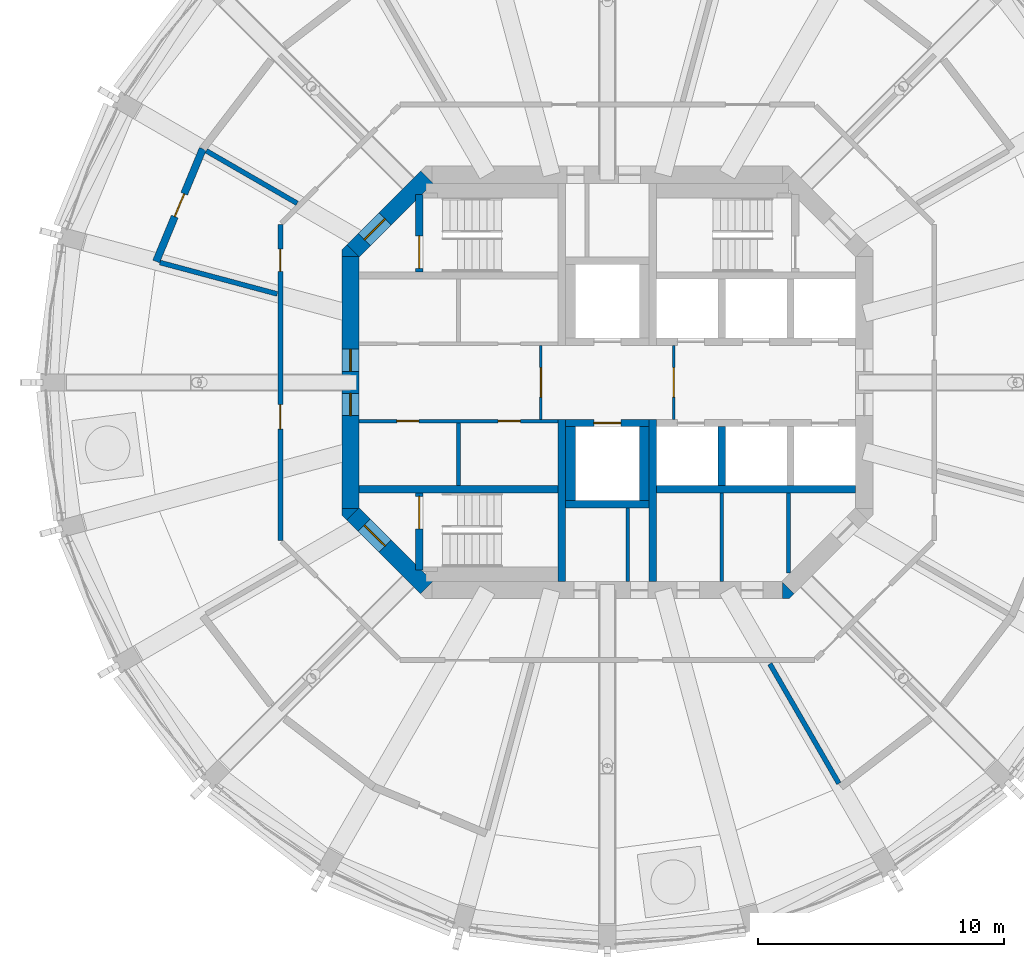
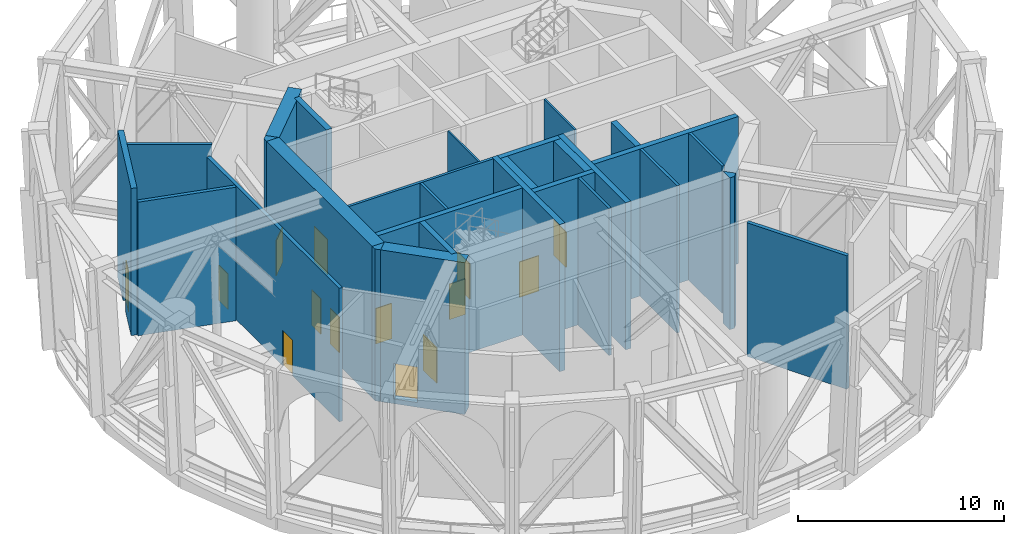
# One storey, part 5 of 12: 29 walls, 14 doors, 14 openings.
"""IFC4 building model written with IfcOpenShell, lengths in metres."""

from ifc_helpers import new_model, si_unit, direction, frame, frame_2d, origin, place, context, subcontext, project, spatial, polyline, rectangle, outline, extrude, material, layer, layer_set, type_object, element, fill, save


model = new_model("IFC4")

# Units and contexts
model_context = context("Model", 3, precision=1e-05, world=origin(), true_north=direction((0.0, 1.0)))
body_context = subcontext(model_context, "Body", "Model", "MODEL_VIEW")
ifc_project = project(units=[si_unit("LENGTHUNIT", "METRE"), si_unit("AREAUNIT", "SQUARE_METRE"), si_unit("VOLUMEUNIT", "CUBIC_METRE"), si_unit("PLANEANGLEUNIT", "RADIAN"), si_unit("MASSUNIT", "GRAM", prefix="KILO")], contexts=[model_context])

# Site, building, storey
site_placement = place(None, origin())
site = spatial("IfcSite", under=ifc_project, at=site_placement, CompositionType="ELEMENT")
building_placement = place(site_placement, origin())
building = spatial("IfcBuilding", under=site, at=building_placement, Name="Torre Triforio", CompositionType="ELEMENT")
storey_placement = place(building_placement, frame((0.0, 0.0, 183.800048828125)))
storey = spatial("IfcBuildingStorey", under=building, at=storey_placement, Name="L42", CompositionType="ELEMENT", Elevation=183.800048828125)

# Walls
ifc_material_1 = material(Name="Concrete C50", Category="concrete")
ifc_layer_1 = layer(ifc_material_1, 0.300048828125)
ifc_layer_set_1 = layer_set([ifc_layer_1], Name="Concrete C50")
wall_type_1 = type_object("IfcWallType", Name="Core wall 300 mm C50 EI 120", PredefinedType="SHEAR", material=ifc_layer_set_1)
for number, where, z_axis, x_axis, name in (
    (1, (-1.85009765625, -8.10009765625, 0.0), (0.0, 0.0, 1.0), (0.0, 1.0, 0.0), "Core wall"),
    (2, (1.85009765625, -8.10009765625, 0.0), (0.0, 0.0, 1.0), (0.0, 1.0, 0.0), "Core wall"),
):
    element("IfcWall", number, at=place(storey_placement, frame(where, z_axis=z_axis, x_axis=x_axis)), inside=storey, type_object=wall_type_1, Name=name, PredefinedType="SHEAR", context=body_context, shape_type="SweptSolid", body=[
        extrude(rectangle(XDim=6.60009765625, YDim=0.300048828125, at=frame_2d((3.300048828125, 0.0))), origin(), (0.0, 0.0, 1.0), 8.719970703125),
    ])

# Wall, openings, doors
ifc_layer_2 = layer(ifc_material_1, 0.699951171875)
ifc_layer_set_2 = layer_set([ifc_layer_2], Name="Concrete C50")
wall_type_2 = type_object("IfcWallType", Name="Core wall 700 mm C50 EI 120", PredefinedType="SHEAR", material=ifc_layer_set_2)
wall_1_placement = place(storey_placement, frame((-10.449951171875, -5.1298828125, -0.280029296875), z_axis=(0.0, 0.0, 1.0), x_axis=(0.0, 1.0, 0.0)))
wall_1 = element("IfcWall", 3, at=wall_1_placement, inside=storey, type_object=wall_type_2, Name="Core wall", PredefinedType="SHEAR", context=body_context, shape_type="SweptSolid", body=[
    extrude(rectangle(XDim=10.259765625, YDim=0.699951171875, at=frame_2d((5.1298828125, 0.0))), origin(), (0.0, 0.0, 1.0), 9.0),
])
opening_1_placement = place(wall_1_placement, frame((5.580078125, 0.0, 0.280029296875)))
opening_1 = element("IfcOpeningElement", 4, at=opening_1_placement, cuts=wall_1, Name="Opening W-RINGA", PredefinedType="OPENING", context=body_context, shape_type="SweptSolid", body=[
    extrude(rectangle(XDim=0.89990234375, YDim=2.10009765625, at=frame_2d((0.449951171875, 1.050048828125))), frame((0.0, 0.35986328125, 0.0), z_axis=(0.0, -1.0, 0.0), x_axis=(1.0, 0.0, 0.0)), (0.0, 0.0, 1.0), 0.719970703125),
])
opening_2_placement = place(wall_1_placement, frame((3.780029296875, 0.0, 0.280029296875)))
opening_2 = element("IfcOpeningElement", 5, at=opening_2_placement, cuts=wall_1, Name="Opening W-RING-2", PredefinedType="OPENING", context=body_context, shape_type="SweptSolid", body=[
    extrude(rectangle(XDim=0.89990234375, YDim=2.10009765625, at=frame_2d((0.449951171875, 1.050048828125))), frame((0.0, 0.35986328125, 0.0), z_axis=(0.0, -1.0, 0.0), x_axis=(1.0, 0.0, 0.0)), (0.0, 0.0, 1.0), 0.719970703125),
])
ifc_material_2 = material(Name="Hollow metal fire door leaf")
door_type_1 = type_object("IfcDoorType", Name="Lobby door 900 x 2100 EI 60", OperationType="NOTDEFINED", PredefinedType="DOOR", material=ifc_material_2)
door_1_placement = place(opening_1_placement, origin())
door_1 = element("IfcDoor", 6, at=door_1_placement, inside=storey, type_object=door_type_1, Name="Core door W-RING", OperationType="SINGLE_SWING_RIGHT", OverallHeight=2.10009765625, OverallWidth=0.89990234375, PredefinedType="DOOR", context=body_context, shape_type="SweptSolid", body=[
    extrude(rectangle(XDim=0.89990234375, YDim=2.10009765625, at=frame_2d((0.449951171875, 1.050048828125))), frame((0.0, 0.02490234375, 0.0), z_axis=(0.0, -1.0, 0.0), x_axis=(1.0, 0.0, 0.0)), (0.0, 0.0, 1.0), 0.050048828125),
])
fill(opening_1, door_1)
door_2_placement = place(opening_2_placement, origin())
door_2 = element("IfcDoor", 7, at=door_2_placement, inside=storey, type_object=door_type_1, Name="Core door W-RING-2", OperationType="SINGLE_SWING_RIGHT", OverallHeight=2.10009765625, OverallWidth=0.89990234375, PredefinedType="DOOR", context=body_context, shape_type="SweptSolid", body=[
    extrude(rectangle(XDim=0.89990234375, YDim=2.10009765625, at=frame_2d((0.449951171875, 1.050048828125))), frame((0.0, 0.02490234375, 0.0), z_axis=(0.0, -1.0, 0.0), x_axis=(1.0, 0.0, 0.0)), (0.0, 0.0, 1.0), 0.050048828125),
])
fill(opening_2, door_2)

# Wall, opening, door
wall_2_placement = place(storey_placement, frame((-10.347412109375, 5.347412109375, -0.280029296875), z_axis=(0.0, 0.0, 1.0), x_axis=(0.707106781187, 0.707106781187, 0.0)))
wall_2 = element("IfcWall", 8, at=wall_2_placement, inside=storey, type_object=wall_type_2, Name="Core wall", PredefinedType="SHEAR", context=body_context, shape_type="SweptSolid", body=[
    extrude(rectangle(XDim=4.24267578125, YDim=0.699951171875, at=frame_2d((2.121337890625, 0.0))), origin(), (0.0, 0.0, 1.0), 9.0),
])
opening_3_placement = place(wall_2_placement, frame((0.64990234375, 0.0, 0.280029296875)))
opening_3 = element("IfcOpeningElement", 9, at=opening_3_placement, cuts=wall_2, Name="Opening ST1-EXIT", PredefinedType="OPENING", context=body_context, shape_type="SweptSolid", body=[
    extrude(rectangle(XDim=1.199951171875, YDim=2.10009765625, at=frame_2d((0.60009765625, 1.050048828125))), frame((0.0, 0.35986328125, 0.0), z_axis=(0.0, -1.0, 0.0), x_axis=(1.0, 0.0, 0.0)), (0.0, 0.0, 1.0), 0.719970703125),
])
door_type_2 = type_object("IfcDoorType", Name="Stair lobby door 1200 x 2100 EI 60", OperationType="NOTDEFINED", PredefinedType="DOOR", material=ifc_material_2)
door_3_placement = place(opening_3_placement, origin())
door_3 = element("IfcDoor", 10, at=door_3_placement, inside=storey, type_object=door_type_2, Name="Core door ST1-EXIT", OperationType="SINGLE_SWING_RIGHT", OverallHeight=2.10009765625, OverallWidth=1.199951171875, PredefinedType="DOOR", context=body_context, shape_type="SweptSolid", body=[
    extrude(rectangle(XDim=1.199951171875, YDim=2.10009765625, at=frame_2d((0.60009765625, 1.050048828125))), frame((0.0, 0.02490234375, 0.0), z_axis=(0.0, -1.0, 0.0), x_axis=(1.0, 0.0, 0.0)), (0.0, 0.0, 1.0), 0.050048828125),
])
fill(opening_3, door_3)

wall_3_placement = place(storey_placement, frame((-7.347412109375, -8.347412109375, -0.280029296875), z_axis=(0.0, 0.0, 1.0), x_axis=(-0.707106781187, 0.707106781187, 0.0)))
wall_3 = element("IfcWall", 11, at=wall_3_placement, inside=storey, type_object=wall_type_2, Name="Core wall", PredefinedType="SHEAR", context=body_context, shape_type="SweptSolid", body=[
    extrude(rectangle(XDim=4.24267578125, YDim=0.699951171875, at=frame_2d((2.121337890625, 0.0))), origin(), (0.0, 0.0, 1.0), 9.0),
])
opening_4_placement = place(wall_3_placement, frame((2.389892578125, 0.0, 0.280029296875)))
opening_4 = element("IfcOpeningElement", 12, at=opening_4_placement, cuts=wall_3, Name="Opening ST3-EXIT", PredefinedType="OPENING", context=body_context, shape_type="SweptSolid", body=[
    extrude(rectangle(XDim=1.199951171875, YDim=2.10009765625, at=frame_2d((0.60009765625, 1.050048828125))), frame((0.0, 0.35986328125, 0.0), z_axis=(0.0, -1.0, 0.0), x_axis=(1.0, 0.0, 0.0)), (0.0, 0.0, 1.0), 0.719970703125),
])
door_4_placement = place(opening_4_placement, origin())
door_4 = element("IfcDoor", 13, at=door_4_placement, inside=storey, type_object=door_type_2, Name="Core door ST3-EXIT", OperationType="SINGLE_SWING_RIGHT", OverallHeight=2.10009765625, OverallWidth=1.199951171875, PredefinedType="DOOR", context=body_context, shape_type="SweptSolid", body=[
    extrude(rectangle(XDim=1.199951171875, YDim=2.10009765625, at=frame_2d((0.60009765625, 1.050048828125))), frame((0.0, 0.02490234375, 0.0), z_axis=(0.0, -1.0, 0.0), x_axis=(1.0, 0.0, 0.0)), (0.0, 0.0, 1.0), 0.050048828125),
])
fill(opening_4, door_4)

# Walls
wall_4_placement = place(storey_placement, frame((0.0, 0.0, -0.280029296875)))
element("IfcWall", 14, at=wall_4_placement, inside=storey, type_object=wall_type_2, Name="Core wall", PredefinedType="SHEAR", context=body_context, shape_type="SweptSolid", body=[
    extrude(outline(polyline([(7.389892578125, -8.800048828125), (7.1298828125, -8.800048828125), (7.1298828125, -8.800048828125), (7.1298828125, -8.1298828125), (7.594970703125, -8.594970703125), (7.594970703125, -8.594970703125), (7.594970703125, -8.594970703125), (7.389892578125, -8.800048828125)])), origin(), (0.0, 0.0, 1.0), 9.0),
])
wall_5_placement = place(storey_placement, frame((0.0, 0.0, -0.280029296875)))
element("IfcWall", 15, at=wall_5_placement, inside=storey, type_object=wall_type_2, Name="Core wall", PredefinedType="SHEAR", context=body_context, shape_type="SweptSolid", body=[
    extrude(outline(polyline([(-10.800048828125, -5.389892578125), (-10.800048828125, -5.1298828125), (-10.800048828125, -5.1298828125), (-10.1298828125, -5.1298828125), (-10.594970703125, -5.594970703125), (-10.594970703125, -5.594970703125), (-10.594970703125, -5.594970703125), (-10.800048828125, -5.389892578125)])), origin(), (0.0, 0.0, 1.0), 9.0),
])
wall_6_placement = place(storey_placement, frame((0.0, 0.0, -0.280029296875)))
element("IfcWall", 16, at=wall_6_placement, inside=storey, type_object=wall_type_2, Name="Core wall", PredefinedType="SHEAR", context=body_context, shape_type="SweptSolid", body=[
    extrude(outline(polyline([(-10.594970703125, 5.594970703125), (-10.594970703125, 5.594970703125), (-10.594970703125, 5.594970703125), (-10.1298828125, 5.1298828125), (-10.800048828125, 5.1298828125), (-10.800048828125, 5.1298828125), (-10.800048828125, 5.389892578125), (-10.594970703125, 5.594970703125)])), origin(), (0.0, 0.0, 1.0), 9.0),
])

# Wall, opening, door
ifc_material_3 = material(Name="Aluminium louvre blades", Category="aluminium")
ifc_layer_3 = layer(ifc_material_3, 0.300048828125)
ifc_layer_set_3 = layer_set([ifc_layer_3], Name="Aluminium louvre blades")
wall_type_3 = type_object("IfcWallType", Name="Louvred enclosure wall 300", PredefinedType="STANDARD", material=ifc_layer_set_3)
wall_7_placement = place(storey_placement, frame((-16.45458984375, 9.5, 0.0), z_axis=(0.0, 0.0, 1.0), x_axis=(-0.382650301762, -0.923893254961, 0.0)))
wall_7 = element("IfcWall", 17, at=wall_7_placement, inside=storey, type_object=wall_type_3, Name="Louvred enclosure L42 bay 11", PredefinedType="STANDARD", context=body_context, shape_type="SweptSolid", body=[
    extrude(rectangle(XDim=4.9599609375, YDim=0.300048828125, at=frame_2d((2.47998046875, 0.0))), origin(), (0.0, 0.0, 1.0), 8.719970703125),
])
opening_5_placement = place(wall_7_placement, frame((1.97998046875, 0.0, 0.0)))
opening_5 = element("IfcOpeningElement", 18, at=opening_5_placement, cuts=wall_7, Name="Opening PL2-D11", PredefinedType="OPENING", context=body_context, shape_type="SweptSolid", body=[
    extrude(rectangle(XDim=1.0, YDim=2.39990234375, at=frame_2d((0.5, 1.199951171875))), frame((0.0, 0.159912109375, 0.0), z_axis=(0.0, -1.0, 0.0), x_axis=(1.0, 0.0, 0.0)), (0.0, 0.0, 1.0), 0.320068359375),
])
ifc_material_4 = material(Name="Galvanised hollow metal louvred door")
door_type_3 = type_object("IfcDoorType", Name="Deck service door 1000 x 2400", OperationType="NOTDEFINED", PredefinedType="DOOR", material=ifc_material_4)
door_5_placement = place(opening_5_placement, origin())
door_5 = element("IfcDoor", 19, at=door_5_placement, inside=storey, type_object=door_type_3, Name="Deck service door L42 bay 11", OperationType="SINGLE_SWING_LEFT", OverallHeight=2.39990234375, OverallWidth=1.0, PredefinedType="DOOR", context=body_context, shape_type="SweptSolid", body=[
    extrude(rectangle(XDim=1.0, YDim=2.39990234375, at=frame_2d((0.5, 1.199951171875))), frame((0.0, 0.02490234375, 0.0), z_axis=(0.0, -1.0, 0.0), x_axis=(1.0, 0.0, 0.0)), (0.0, 0.0, 1.0), 0.050048828125),
])
fill(opening_5, door_5)

ifc_material_5 = material(Name="Block and board partition")
ifc_layer_4 = layer(ifc_material_5, 0.10009765625)
ifc_layer_set_4 = layer_set([ifc_layer_4], Name="Block and board partition")
wall_type_4 = type_object("IfcWallType", Name="Partition 100 mm EI 120", PredefinedType="PARTITIONING", material=ifc_layer_set_4)
wall_8_placement = place(storey_placement, frame((-2.699951171875, -1.5, 0.0), z_axis=(0.0, 0.0, 1.0), x_axis=(0.0, 1.0, 0.0)))
wall_8 = element("IfcWall", 20, at=wall_8_placement, inside=storey, type_object=wall_type_4, Name="Partition", PredefinedType="PARTITIONING", context=body_context, shape_type="SweptSolid", body=[
    extrude(rectangle(XDim=3.0, YDim=0.10009765625, at=frame_2d((1.5, 0.0))), origin(), (0.0, 0.0, 1.0), 8.719970703125),
])
opening_6_placement = place(wall_8_placement, frame((0.89990234375, 0.0, 0.0)))
opening_6 = element("IfcOpeningElement", 21, at=opening_6_placement, cuts=wall_8, Name="Opening FF-W", PredefinedType="OPENING", context=body_context, shape_type="SweptSolid", body=[
    extrude(rectangle(XDim=1.199951171875, YDim=2.10009765625, at=frame_2d((0.60009765625, 1.050048828125))), frame((0.0, 0.06005859375, 0.0), z_axis=(0.0, -1.0, 0.0), x_axis=(1.0, 0.0, 0.0)), (0.0, 0.0, 1.0), 0.1201171875),
])
door_type_4 = type_object("IfcDoorType", Name="Fire-fighting lobby door 1200 x 2100 EI 60", OperationType="NOTDEFINED", PredefinedType="DOOR", material=ifc_material_2)
door_6_placement = place(opening_6_placement, origin())
door_6 = element("IfcDoor", 22, at=door_6_placement, inside=storey, type_object=door_type_4, Name="Core door FF-W", OperationType="SINGLE_SWING_RIGHT", OverallHeight=2.10009765625, OverallWidth=1.199951171875, PredefinedType="DOOR", context=body_context, shape_type="SweptSolid", body=[
    extrude(rectangle(XDim=1.199951171875, YDim=2.10009765625, at=frame_2d((0.60009765625, 1.050048828125))), frame((0.0, 0.02490234375, 0.0), z_axis=(0.0, -1.0, 0.0), x_axis=(1.0, 0.0, 0.0)), (0.0, 0.0, 1.0), 0.050048828125),
])
fill(opening_6, door_6)

wall_9_placement = place(storey_placement, frame((2.699951171875, -1.5, 0.0), z_axis=(0.0, 0.0, 1.0), x_axis=(0.0, 1.0, 0.0)))
wall_9 = element("IfcWall", 23, at=wall_9_placement, inside=storey, type_object=wall_type_4, Name="Partition", PredefinedType="PARTITIONING", context=body_context, shape_type="SweptSolid", body=[
    extrude(rectangle(XDim=3.0, YDim=0.10009765625, at=frame_2d((1.5, 0.0))), origin(), (0.0, 0.0, 1.0), 8.719970703125),
])
opening_7_placement = place(wall_9_placement, frame((0.89990234375, 0.0, 0.0)))
opening_7 = element("IfcOpeningElement", 24, at=opening_7_placement, cuts=wall_9, Name="Opening FF-E", PredefinedType="OPENING", context=body_context, shape_type="SweptSolid", body=[
    extrude(rectangle(XDim=1.199951171875, YDim=2.10009765625, at=frame_2d((0.60009765625, 1.050048828125))), frame((0.0, 0.06005859375, 0.0), z_axis=(0.0, -1.0, 0.0), x_axis=(1.0, 0.0, 0.0)), (0.0, 0.0, 1.0), 0.1201171875),
])
door_7_placement = place(opening_7_placement, origin())
door_7 = element("IfcDoor", 25, at=door_7_placement, inside=storey, type_object=door_type_4, Name="Core door FF-E", OperationType="SINGLE_SWING_RIGHT", OverallHeight=2.10009765625, OverallWidth=1.199951171875, PredefinedType="DOOR", context=body_context, shape_type="SweptSolid", body=[
    extrude(rectangle(XDim=1.199951171875, YDim=2.10009765625, at=frame_2d((0.60009765625, 1.050048828125))), frame((0.0, 0.02490234375, 0.0), z_axis=(0.0, -1.0, 0.0), x_axis=(1.0, 0.0, 0.0)), (0.0, 0.0, 1.0), 0.050048828125),
])
fill(opening_7, door_7)

# Walls
ifc_layer_5 = layer(ifc_material_5, 0.14990234375)
ifc_layer_set_5 = layer_set([ifc_layer_5], Name="Block and board partition")
wall_type_5 = type_object("IfcWallType", Name="Partition 150 mm", PredefinedType="PARTITIONING", material=ifc_layer_set_5)
wall_10_placement = place(storey_placement, frame((4.64892578125, -8.10009765625, 0.0), z_axis=(0.0, 0.0, 1.0), x_axis=(0.0, 1.0, 0.0)))
element("IfcWall", 26, at=wall_10_placement, inside=storey, type_object=wall_type_5, Name="Partition", PredefinedType="PARTITIONING", context=body_context, shape_type="SweptSolid", body=[
    extrude(rectangle(XDim=3.60009765625, YDim=0.14990234375, at=frame_2d((1.800048828125, 0.0))), origin(), (0.0, 0.0, 1.0), 8.719970703125),
])
wall_11_placement = place(storey_placement, frame((7.373046875, -7.751953125, 0.0), z_axis=(0.0, 0.0, 1.0), x_axis=(0.0, 1.0, 0.0)))
element("IfcWall", 27, at=wall_11_placement, inside=storey, type_object=wall_type_5, Name="Partition", PredefinedType="PARTITIONING", context=body_context, shape_type="SweptSolid", body=[
    extrude(rectangle(XDim=3.251953125, YDim=0.14990234375, at=frame_2d((1.6259765625, 0.0))), origin(), (0.0, 0.0, 1.0), 8.719970703125),
])
wall_12_placement = place(storey_placement, frame((-6.050048828125, -4.199951171875, 0.0), z_axis=(0.0, 0.0, 1.0), x_axis=(0.0, 1.0, 0.0)))
element("IfcWall", 28, at=wall_12_placement, inside=storey, type_object=wall_type_5, Name="Partition", PredefinedType="PARTITIONING", context=body_context, shape_type="SweptSolid", body=[
    extrude(rectangle(XDim=2.550048828125, YDim=0.14990234375, at=frame_2d((1.27490234375, 0.0))), origin(), (0.0, 0.0, 1.0), 8.719970703125),
])
ifc_layer_6 = layer(ifc_material_5, 0.14990234375)
ifc_layer_set_6 = layer_set([ifc_layer_6], Name="Block and board partition")
wall_type_6 = type_object("IfcWallType", Name="Partition 150 mm EI 120", PredefinedType="PARTITIONING", material=ifc_layer_set_6)
wall_13_placement = place(storey_placement, frame((0.824951171875, -8.10009765625, 0.0), z_axis=(0.0, 0.0, 1.0), x_axis=(0.0, 1.0, 0.0)))
element("IfcWall", 29, at=wall_13_placement, inside=storey, type_object=wall_type_6, Name="Partition", PredefinedType="PARTITIONING", context=body_context, shape_type="SweptSolid", body=[
    extrude(rectangle(XDim=3.0, YDim=0.14990234375, at=frame_2d((1.5, 0.0))), origin(), (0.0, 0.0, 1.0), 8.719970703125),
])

# Wall, openings, doors
wall_14_placement = place(storey_placement, frame((-10.10009765625, -1.574951171875, 0.0), z_axis=(0.0, 0.0, 1.0), x_axis=(1.0, 0.0, 0.0)))
wall_14 = element("IfcWall", 30, at=wall_14_placement, inside=storey, type_object=wall_type_6, Name="Partition", PredefinedType="PARTITIONING", context=body_context, shape_type="SweptSolid", body=[
    extrude(rectangle(XDim=8.10009765625, YDim=0.14990234375, at=frame_2d((4.050048828125, 0.0))), origin(), (0.0, 0.0, 1.0), 8.719970703125),
])
opening_8_placement = place(wall_14_placement, frame((1.53759765625, 0.0, 0.0)))
opening_8 = element("IfcOpeningElement", 31, at=opening_8_placement, cuts=wall_14, Name="Opening FS-01A", PredefinedType="OPENING", context=body_context, shape_type="SweptSolid", body=[
    extrude(rectangle(XDim=0.89990234375, YDim=2.10009765625, at=frame_2d((0.449951171875, 1.050048828125))), frame((0.0, 0.0849609375, 0.0), z_axis=(0.0, -1.0, 0.0), x_axis=(1.0, 0.0, 0.0)), (0.0, 0.0, 1.0), 0.169921875),
])
opening_9_placement = place(wall_14_placement, frame((5.66259765625, 0.0, 0.0)))
opening_9 = element("IfcOpeningElement", 32, at=opening_9_placement, cuts=wall_14, Name="Opening FS-02A", PredefinedType="OPENING", context=body_context, shape_type="SweptSolid", body=[
    extrude(rectangle(XDim=0.89990234375, YDim=2.10009765625, at=frame_2d((0.449951171875, 1.050048828125))), frame((0.0, 0.0849609375, 0.0), z_axis=(0.0, -1.0, 0.0), x_axis=(1.0, 0.0, 0.0)), (0.0, 0.0, 1.0), 0.169921875),
])
door_type_5 = type_object("IfcDoorType", Name="Plant room door 900 x 2100 EI 60", OperationType="NOTDEFINED", PredefinedType="DOOR", material=ifc_material_2)
door_8_placement = place(opening_8_placement, origin())
door_8 = element("IfcDoor", 33, at=door_8_placement, inside=storey, type_object=door_type_5, Name="Core door FS-01", OperationType="SINGLE_SWING_LEFT", OverallHeight=2.10009765625, OverallWidth=0.89990234375, PredefinedType="DOOR", context=body_context, shape_type="SweptSolid", body=[
    extrude(rectangle(XDim=0.89990234375, YDim=2.10009765625, at=frame_2d((0.449951171875, 1.050048828125))), frame((0.0, 0.02490234375, 0.0), z_axis=(0.0, -1.0, 0.0), x_axis=(1.0, 0.0, 0.0)), (0.0, 0.0, 1.0), 0.050048828125),
])
fill(opening_8, door_8)
door_9_placement = place(opening_9_placement, origin())
door_9 = element("IfcDoor", 34, at=door_9_placement, inside=storey, type_object=door_type_5, Name="Core door FS-02", OperationType="SINGLE_SWING_LEFT", OverallHeight=2.10009765625, OverallWidth=0.89990234375, PredefinedType="DOOR", context=body_context, shape_type="SweptSolid", body=[
    extrude(rectangle(XDim=0.89990234375, YDim=2.10009765625, at=frame_2d((0.449951171875, 1.050048828125))), frame((0.0, 0.02490234375, 0.0), z_axis=(0.0, -1.0, 0.0), x_axis=(1.0, 0.0, 0.0)), (0.0, 0.0, 1.0), 0.050048828125),
])
fill(opening_9, door_9)

ifc_material_6 = material(Name="Masonry block", Category="masonry")
ifc_layer_7 = layer(ifc_material_6, 0.199951171875)
ifc_layer_set_7 = layer_set([ifc_layer_7], Name="Masonry block")
wall_type_7 = type_object("IfcWallType", Name="Plant room wall 200 mm block EI 120", PredefinedType="PARTITIONING", material=ifc_layer_set_7)
wall_15_placement = place(storey_placement, frame((-13.300048828125, -6.425537109375, 0.0), z_axis=(0.0, 0.0, 1.0), x_axis=(0.0, 1.0, 0.0)))
wall_15 = element("IfcWall", 35, at=wall_15_placement, inside=storey, type_object=wall_type_7, Name="Partition 4", PredefinedType="PARTITIONING", context=body_context, shape_type="SweptSolid", body=[
    extrude(rectangle(XDim=12.85107421875, YDim=0.199951171875, at=frame_2d((6.425537109375, 0.0))), origin(), (0.0, 0.0, 1.0), 7.919921875),
])
opening_10_placement = place(wall_15_placement, frame((10.945068359375, 0.0, 0.0)))
opening_10 = element("IfcOpeningElement", 36, at=opening_10_placement, cuts=wall_15, Name="Opening PL2-07", PredefinedType="OPENING", context=body_context, shape_type="SweptSolid", body=[
    extrude(rectangle(XDim=0.89990234375, YDim=2.10009765625, at=frame_2d((0.449951171875, 1.050048828125))), frame((0.0, 0.10986328125, 0.0), z_axis=(0.0, -1.0, 0.0), x_axis=(1.0, 0.0, 0.0)), (0.0, 0.0, 1.0), 0.219970703125),
])
opening_11_placement = place(wall_15_placement, frame((4.5205078125, 0.0, 0.0)))
opening_11 = element("IfcOpeningElement", 37, at=opening_11_placement, cuts=wall_15, Name="Opening PL2-08", PredefinedType="OPENING", context=body_context, shape_type="SweptSolid", body=[
    extrude(rectangle(XDim=1.0, YDim=2.10009765625, at=frame_2d((0.5, 1.050048828125))), frame((0.0, 0.10986328125, 0.0), z_axis=(0.0, -1.0, 0.0), x_axis=(1.0, 0.0, 0.0)), (0.0, 0.0, 1.0), 0.219970703125),
])
door_type_6 = type_object("IfcDoorType", Name="Door 1000 x 2100 single leaf EI 60", OperationType="NOTDEFINED", PredefinedType="DOOR", material=ifc_material_2)
door_10_placement = place(opening_11_placement, origin())
door_10 = element("IfcDoor", 38, at=door_10_placement, inside=storey, type_object=door_type_6, Name="Door PL2-08", OperationType="SINGLE_SWING_LEFT", OverallHeight=2.10009765625, OverallWidth=1.0, PredefinedType="DOOR", context=body_context, shape_type="SweptSolid", body=[
    extrude(rectangle(XDim=1.0, YDim=2.10009765625, at=frame_2d((0.5, 1.050048828125))), frame((0.0, 0.02490234375, 0.0), z_axis=(0.0, -1.0, 0.0), x_axis=(1.0, 0.0, 0.0)), (0.0, 0.0, 1.0), 0.050048828125),
])
fill(opening_11, door_10)
door_type_7 = type_object("IfcDoorType", Name="Door 900 x 2100 single leaf EI 60", OperationType="NOTDEFINED", PredefinedType="DOOR", material=ifc_material_2)
door_11_placement = place(opening_10_placement, origin())
door_11 = element("IfcDoor", 39, at=door_11_placement, inside=storey, type_object=door_type_7, Name="Door PL2-07", OperationType="SINGLE_SWING_LEFT", OverallHeight=2.10009765625, OverallWidth=0.89990234375, PredefinedType="DOOR", context=body_context, shape_type="SweptSolid", body=[
    extrude(rectangle(XDim=0.89990234375, YDim=2.10009765625, at=frame_2d((0.449951171875, 1.050048828125))), frame((0.0, 0.02490234375, 0.0), z_axis=(0.0, -1.0, 0.0), x_axis=(1.0, 0.0, 0.0)), (0.0, 0.0, 1.0), 0.050048828125),
])
fill(opening_10, door_11)

# Walls
wall_16_placement = place(storey_placement, frame((-12.617919921875, 7.284912109375, 0.0), z_axis=(0.0, 0.0, 1.0), x_axis=(-0.866005490874, 0.500034488586, 0.0)))
element("IfcWall", 40, at=wall_16_placement, inside=storey, type_object=wall_type_7, Name="Partition 14", PredefinedType="PARTITIONING", context=body_context, shape_type="SweptSolid", body=[
    extrude(rectangle(XDim=4.266845703125, YDim=0.199951171875, at=frame_2d((2.13330078125, 0.0))), origin(), (0.0, 0.0, 1.0), 7.919921875),
])
wall_17_placement = place(storey_placement, frame((-13.425537109375, 3.597412109375, 0.0), z_axis=(0.0, 0.0, 1.0), x_axis=(-0.9659306159, 0.258801169369, 0.0)))
element("IfcWall", 41, at=wall_17_placement, inside=storey, type_object=wall_type_7, Name="Partition 15", PredefinedType="PARTITIONING", context=body_context, shape_type="SweptSolid", body=[
    extrude(rectangle(XDim=4.9375, YDim=0.199951171875, at=frame_2d((2.46875, 0.0))), origin(), (0.0, 0.0, 1.0), 7.919921875),
])
wall_18_placement = place(storey_placement, frame((6.6103515625, -11.449462890625, 0.0), z_axis=(0.0, 0.0, 1.0), x_axis=(0.500019734852, -0.866014009562, 0.0)))
element("IfcWall", 42, at=wall_18_placement, inside=storey, type_object=wall_type_7, Name="Partition 19", PredefinedType="PARTITIONING", context=body_context, shape_type="SweptSolid", body=[
    extrude(rectangle(XDim=5.615966796875, YDim=0.199951171875, at=frame_2d((2.80810546875, 0.0))), origin(), (0.0, 0.0, 1.0), 7.919921875),
])
ifc_layer_8 = layer(ifc_material_1, 0.300048828125)
ifc_layer_set_8 = layer_set([ifc_layer_8], Name="Concrete C50")
wall_type_8 = type_object("IfcWallType", Name="Shaft wall 300 mm C50 EI 120", PredefinedType="SOLIDWALL", material=ifc_layer_set_8)
for number, where, z_axis, x_axis, name in (
    (43, (-10.10009765625, -4.35009765625, 0.0), (0.0, 0.0, 1.0), (1.0, 0.0, 0.0), "Shaft wall"),
    (44, (2.0, -4.35009765625, 0.0), (0.0, 0.0, 1.0), (1.0, 0.0, 0.0), "Shaft wall"),
):
    element("IfcWall", number, at=place(storey_placement, frame(where, z_axis=z_axis, x_axis=x_axis)), inside=storey, type_object=wall_type_8, Name=name, PredefinedType="SOLIDWALL", context=body_context, shape_type="SweptSolid", body=[
        extrude(rectangle(XDim=8.10009765625, YDim=0.300048828125, at=frame_2d((4.050048828125, 0.0))), origin(), (0.0, 0.0, 1.0), 8.719970703125),
    ])
wall_19_placement = place(storey_placement, frame((4.64990234375, -4.199951171875, 0.0), z_axis=(0.0, 0.0, 1.0), x_axis=(0.0, 1.0, 0.0)))
element("IfcWall", 45, at=wall_19_placement, inside=storey, type_object=wall_type_8, Name="Shaft wall", PredefinedType="SOLIDWALL", context=body_context, shape_type="SweptSolid", body=[
    extrude(rectangle(XDim=2.39990234375, YDim=0.300048828125, at=frame_2d((1.199951171875, 0.0))), origin(), (0.0, 0.0, 1.0), 8.719970703125),
])

# Wall, opening, door
wall_20_placement = place(storey_placement, frame((-1.699951171875, -1.64990234375, 0.0), z_axis=(0.0, 0.0, 1.0), x_axis=(1.0, 0.0, 0.0)))
wall_20 = element("IfcWall", 46, at=wall_20_placement, inside=storey, type_object=wall_type_8, Name="Shaft wall", PredefinedType="SOLIDWALL", context=body_context, shape_type="SweptSolid", body=[
    extrude(rectangle(XDim=3.39990234375, YDim=0.300048828125, at=frame_2d((1.699951171875, 0.0))), origin(), (0.0, 0.0, 1.0), 8.719970703125),
])
opening_12_placement = place(wall_20_placement, frame((1.14990234375, 0.0, 0.0)))
opening_12 = element("IfcOpeningElement", 47, at=opening_12_placement, cuts=wall_20, Name="Opening LD", PredefinedType="OPENING", context=body_context, shape_type="SweptSolid", body=[
    extrude(rectangle(XDim=1.10009765625, YDim=2.10009765625, at=frame_2d((0.550048828125, 1.050048828125))), frame((0.0, 0.159912109375, 0.0), z_axis=(0.0, -1.0, 0.0), x_axis=(1.0, 0.0, 0.0)), (0.0, 0.0, 1.0), 0.320068359375),
])
door_type_8 = type_object("IfcDoorType", Name="Landing door 1100 x 2100 EI 60", OperationType="DOUBLE_DOOR_SLIDING", PredefinedType="DOOR", material=ifc_material_2)
door_12_placement = place(opening_12_placement, origin())
door_12 = element("IfcDoor", 48, at=door_12_placement, inside=storey, type_object=door_type_8, Name="Landing door FFL2", OperationType="DOUBLE_DOOR_SLIDING", OverallHeight=2.10009765625, OverallWidth=1.10009765625, PredefinedType="DOOR", context=body_context, shape_type="SweptSolid", body=[
    extrude(rectangle(XDim=1.10009765625, YDim=2.10009765625, at=frame_2d((0.550048828125, 1.050048828125))), frame((0.0, 0.02490234375, 0.0), z_axis=(0.0, -1.0, 0.0), x_axis=(1.0, 0.0, 0.0)), (0.0, 0.0, 1.0), 0.050048828125),
])
fill(opening_12, door_12)

# Walls
wall_21_placement = place(storey_placement, frame((-1.699951171875, -4.949951171875, 0.0), z_axis=(0.0, 0.0, 1.0), x_axis=(1.0, 0.0, 0.0)))
element("IfcWall", 49, at=wall_21_placement, inside=storey, type_object=wall_type_8, Name="Shaft wall", PredefinedType="SOLIDWALL", context=body_context, shape_type="SweptSolid", body=[
    extrude(rectangle(XDim=3.39990234375, YDim=0.300048828125, at=frame_2d((1.699951171875, 0.0))), origin(), (0.0, 0.0, 1.0), 8.719970703125),
])
ifc_layer_9 = layer(ifc_material_1, 0.39990234375)
ifc_layer_set_9 = layer_set([ifc_layer_9], Name="Concrete C50")
wall_type_9 = type_object("IfcWallType", Name="Shaft wall 400 mm C50 EI 120", PredefinedType="SOLIDWALL", material=ifc_layer_set_9)
for number, where, z_axis, x_axis, name in (
    (50, (-1.5, -4.800048828125, 0.0), (0.0, 0.0, 1.0), (0.0, 1.0, 0.0), "Shaft wall"),
    (51, (1.5, -4.800048828125, 0.0), (0.0, 0.0, 1.0), (0.0, 1.0, 0.0), "Shaft wall"),
):
    element("IfcWall", number, at=place(storey_placement, frame(where, z_axis=z_axis, x_axis=x_axis)), inside=storey, type_object=wall_type_9, Name=name, PredefinedType="SOLIDWALL", context=body_context, shape_type="SweptSolid", body=[
        extrude(rectangle(XDim=3.0, YDim=0.39990234375, at=frame_2d((1.5, 0.0))), origin(), (0.0, 0.0, 1.0), 8.719970703125),
    ])

# Wall, opening, door
ifc_layer_10 = layer(ifc_material_1, 0.300048828125)
ifc_layer_set_10 = layer_set([ifc_layer_10], Name="Concrete C50")
wall_type_10 = type_object("IfcWallType", Name="Stair wall 300 mm C50 EI 120", PredefinedType="SHEAR", material=ifc_layer_set_10)
wall_22_placement = place(storey_placement, frame((-7.64990234375, 4.5, 0.0), z_axis=(0.0, 0.0, 1.0), x_axis=(0.0, 1.0, 0.0)))
wall_22 = element("IfcWall", 52, at=wall_22_placement, inside=storey, type_object=wall_type_10, Name="Stair wall", PredefinedType="SHEAR", context=body_context, shape_type="SweptSolid", body=[
    extrude(rectangle(XDim=3.139892578125, YDim=0.300048828125, at=frame_2d((1.56982421875, 0.0))), origin(), (0.0, 0.0, 1.0), 8.719970703125),
])
opening_13_placement = place(wall_22_placement, frame((0.139892578125, 0.0, 0.0)))
opening_13 = element("IfcOpeningElement", 53, at=opening_13_placement, cuts=wall_22, Name="Opening ST1-STA", PredefinedType="OPENING", context=body_context, shape_type="SweptSolid", body=[
    extrude(rectangle(XDim=1.320068359375, YDim=2.10009765625, at=frame_2d((0.66015625, 1.050048828125))), frame((0.0, 0.159912109375, 0.0), z_axis=(0.0, -1.0, 0.0), x_axis=(1.0, 0.0, 0.0)), (0.0, 0.0, 1.0), 0.320068359375),
])
door_type_9 = type_object("IfcDoorType", Name="Stair door 1320 x 2100 EI 90", OperationType="DOUBLE_DOOR_SINGLE_SWING", PredefinedType="DOOR", material=ifc_material_2)
door_13_placement = place(opening_13_placement, origin())
door_13 = element("IfcDoor", 54, at=door_13_placement, inside=storey, type_object=door_type_9, Name="Core door ST1-ST", OperationType="DOUBLE_DOOR_SINGLE_SWING", OverallHeight=2.10009765625, OverallWidth=1.320068359375, PredefinedType="DOOR", context=body_context, shape_type="SweptSolid", body=[
    extrude(rectangle(XDim=1.320068359375, YDim=2.10009765625, at=frame_2d((0.66015625, 1.050048828125))), frame((0.0, 0.02490234375, 0.0), z_axis=(0.0, -1.0, 0.0), x_axis=(1.0, 0.0, 0.0)), (0.0, 0.0, 1.0), 0.050048828125),
])
fill(opening_13, door_13)

wall_23_placement = place(storey_placement, frame((-7.64990234375, -7.639892578125, 0.0), z_axis=(0.0, 0.0, 1.0), x_axis=(0.0, 1.0, 0.0)))
wall_23 = element("IfcWall", 55, at=wall_23_placement, inside=storey, type_object=wall_type_10, Name="Stair wall", PredefinedType="SHEAR", context=body_context, shape_type="SweptSolid", body=[
    extrude(rectangle(XDim=3.139892578125, YDim=0.300048828125, at=frame_2d((1.56982421875, 0.0))), origin(), (0.0, 0.0, 1.0), 8.719970703125),
])
opening_14_placement = place(wall_23_placement, frame((1.679931640625, 0.0, 0.0)))
opening_14 = element("IfcOpeningElement", 56, at=opening_14_placement, cuts=wall_23, Name="Opening ST3-STA", PredefinedType="OPENING", context=body_context, shape_type="SweptSolid", body=[
    extrude(rectangle(XDim=1.320068359375, YDim=2.10009765625, at=frame_2d((0.66015625, 1.050048828125))), frame((0.0, 0.159912109375, 0.0), z_axis=(0.0, -1.0, 0.0), x_axis=(1.0, 0.0, 0.0)), (0.0, 0.0, 1.0), 0.320068359375),
])
door_14_placement = place(opening_14_placement, origin())
door_14 = element("IfcDoor", 57, at=door_14_placement, inside=storey, type_object=door_type_9, Name="Core door ST3-ST", OperationType="DOUBLE_DOOR_SINGLE_SWING", OverallHeight=2.10009765625, OverallWidth=1.320068359375, PredefinedType="DOOR", context=body_context, shape_type="SweptSolid", body=[
    extrude(rectangle(XDim=1.320068359375, YDim=2.10009765625, at=frame_2d((0.66015625, 1.050048828125))), frame((0.0, 0.02490234375, 0.0), z_axis=(0.0, -1.0, 0.0), x_axis=(1.0, 0.0, 0.0)), (0.0, 0.0, 1.0), 0.050048828125),
])
fill(opening_14, door_14)

save(model, "model.ifc")
